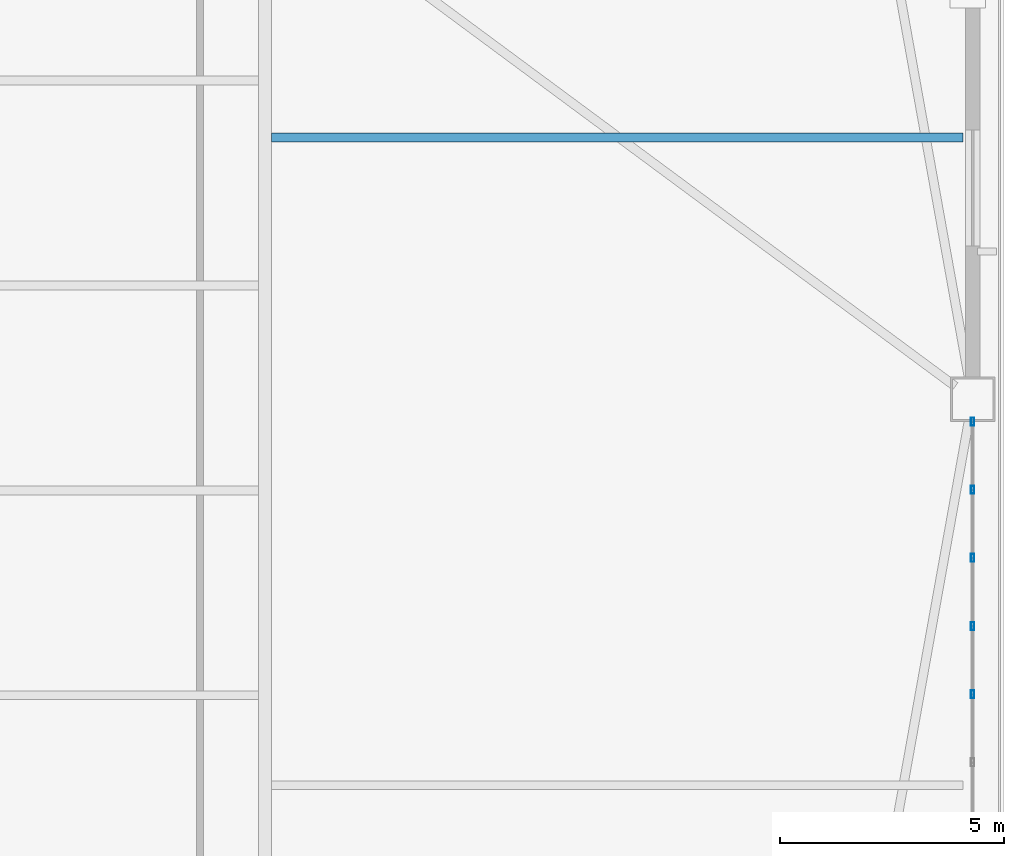
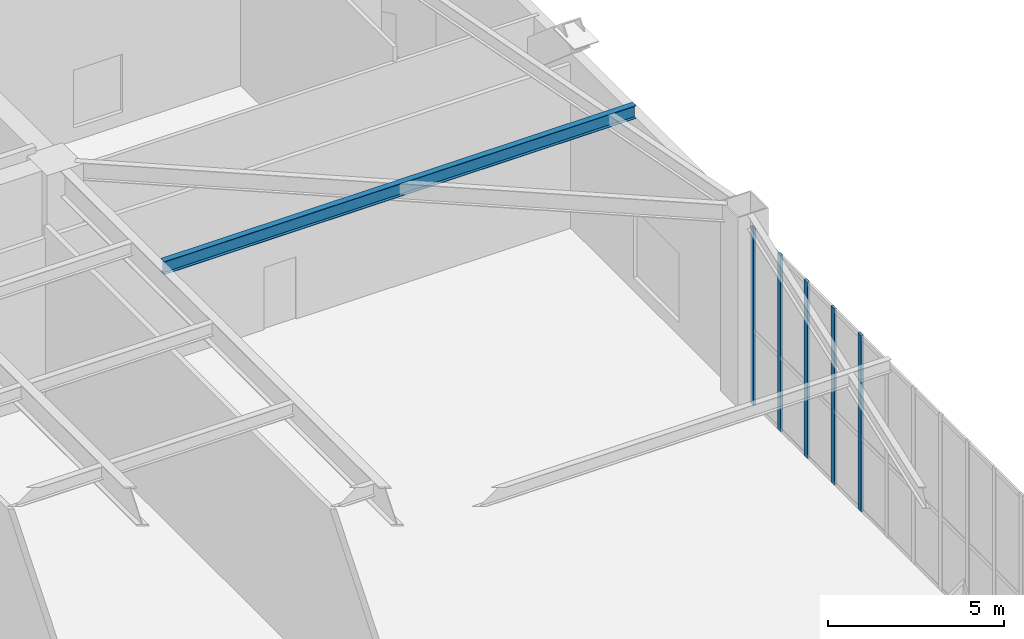
# One storey, part 11 of 22: 5 members, 1 beam, 1 element without a shape of its own.
"""IFC4 building model written with IfcOpenShell, lengths in metres."""

from ifc_helpers import new_model, si_unit, direction, frame, origin, origin_2d, place, context, subcontext, project, spatial, hollow_rectangle, i_section, extrude, source, transform, mapped, material, layer, layer_set, material_profile, profile_set, type_object, element, aggregate, save


model = new_model("IFC4")

# Units and contexts
model_context = context("Model", 3, precision=1e-05, world=origin(), true_north=direction((0.0, 1.0)))
body_context = subcontext(model_context, "Body", "Model", "MODEL_VIEW")
ifc_project = project(units=[si_unit("LENGTHUNIT", "METRE"), si_unit("AREAUNIT", "SQUARE_METRE"), si_unit("VOLUMEUNIT", "CUBIC_METRE"), si_unit("PLANEANGLEUNIT", "RADIAN"), si_unit("MASSUNIT", "GRAM", prefix="KILO")], contexts=[model_context])

# Site, building, storey
site_placement = place(None, origin())
site = spatial("IfcSite", under=ifc_project, at=site_placement, CompositionType="ELEMENT")
building_placement = place(site_placement, origin())
building = spatial("IfcBuilding", under=site, at=building_placement, Name="Giltprow Tower", CompositionType="ELEMENT")
storey_placement = place(building_placement, frame((0.0, 0.0, 72.800048828125)))
storey = spatial("IfcBuildingStorey", under=building, at=storey_placement, Name="L18", CompositionType="ELEMENT", Elevation=72.800048828125)

# Beam
ifc_material_1 = material(Name="Structural steel Q355B", Category="steel")
ifc_material_profile_1 = material_profile(ifc_material_1, i_section(OverallWidth=0.199951171875, OverallDepth=0.449951171875, WebThickness=0.009033203125, FlangeThickness=0.013916015625, at=origin_2d()), Name="HN 450x200x9x14")
ifc_profile_set_1 = profile_set([ifc_material_profile_1], Name="Structural steel Q355B")
beam_type = type_object("IfcBeamType", Name="BM-JOIST-HN450", PredefinedType="JOIST", material=ifc_profile_set_1)
shared_shape_1 = source(origin(), body_context, "Body", "SweptSolid", [
    extrude(i_section(OverallWidth=0.199951171875, OverallDepth=0.449951171875, WebThickness=0.009033203125, FlangeThickness=0.013916015625, at=origin_2d()), origin(), (0.0, 0.0, 1.0), 15.446044921875),
])
beam_placement = place(storey_placement, frame((50.695068359375, 31.60205078125, 6.35498046875), z_axis=(1.0, 0.0, 0.0), x_axis=(0.0, 1.0, 0.0)))
element("IfcBeam", 1, at=beam_placement, inside=storey, type_object=beam_type, Name="L18 East Wing Floor Joist 2", PredefinedType="JOIST", context=body_context, shape_type="MappedRepresentation", body=[
    mapped(shared_shape_1, transform((0.0, 0.0, 0.0), x_axis=(1.0, 0.0, 0.0), y_axis=(0.0, 1.0, 0.0), z_axis=(0.0, 0.0, 1.0), scale=1.0)),
])

# Curtain wall, members
ifc_material_2 = material(Name="Anodized bronze", Category="metal")
ifc_layer = layer(ifc_material_2, 0.179931640625, Name="Anodized bronze")
ifc_layer_set = layer_set([ifc_layer], Name="Anodized bronze")
curtain_wall_type = type_object("IfcCurtainWallType", Name="CW-SKYGARDEN", PredefinedType="NOTDEFINED", material=ifc_layer_set)
curtain_wall_placement = place(storey_placement, origin())
curtain_wall = element("IfcCurtainWall", 2, at=curtain_wall_placement, inside=storey, type_object=curtain_wall_type, Name="L18 E Sky Garden Glazing", PredefinedType="NOTDEFINED")
ifc_material_profile_2 = material_profile(ifc_material_2, hollow_rectangle(XDim=0.074951171875, YDim=0.179931640625, WallThickness=0.008056640625, at=origin_2d()), Name="RHS 180x75x8")
ifc_profile_set_2 = profile_set([ifc_material_profile_2], Name="Anodized bronze")
member_type = type_object("IfcMemberType", Name="CW-MULLION-180x75", PredefinedType="MULLION", material=ifc_profile_set_2)
shared_shape_2 = source(origin(), body_context, "Body", "SweptSolid", [
    extrude(hollow_rectangle(XDim=0.074951171875, YDim=0.179931640625, WallThickness=0.008056640625, at=origin_2d()), origin(), (0.0, 0.0, 1.0), 6.114990234375),
])
member_1_placement = place(storey_placement, frame((66.361083984375, 19.1640625, -0.02001953125), z_axis=(0.0, 0.0, 1.0), x_axis=(1.0, 0.0, 0.0)))
member_1 = element("IfcMember", 3, at=member_1_placement, type_object=member_type, Name="L18 E Sky Garden Glazing Mullion 8", PredefinedType="MULLION", context=body_context, shape_type="MappedRepresentation", body=[
    mapped(shared_shape_2, transform((0.0, 0.0, 0.0), x_axis=(1.0, 0.0, 0.0), y_axis=(0.0, 1.0, 0.0), z_axis=(0.0, 0.0, 1.0), scale=1.0)),
])
member_2_placement = place(storey_placement, frame((66.361083984375, 20.68701171875, -0.02001953125), z_axis=(0.0, 0.0, 1.0), x_axis=(1.0, 0.0, 0.0)))
member_2 = element("IfcMember", 4, at=member_2_placement, type_object=member_type, Name="L18 E Sky Garden Glazing Mullion 9", PredefinedType="MULLION", context=body_context, shape_type="MappedRepresentation", body=[
    mapped(shared_shape_2, transform((0.0, 0.0, 0.0), x_axis=(1.0, 0.0, 0.0), y_axis=(0.0, 1.0, 0.0), z_axis=(0.0, 0.0, 1.0), scale=1.0)),
])
member_3_placement = place(storey_placement, frame((66.361083984375, 22.2099609375, -0.02001953125), z_axis=(0.0, 0.0, 1.0), x_axis=(1.0, 0.0, 0.0)))
member_3 = element("IfcMember", 5, at=member_3_placement, type_object=member_type, Name="L18 E Sky Garden Glazing Mullion 10", PredefinedType="MULLION", context=body_context, shape_type="MappedRepresentation", body=[
    mapped(shared_shape_2, transform((0.0, 0.0, 0.0), x_axis=(1.0, 0.0, 0.0), y_axis=(0.0, 1.0, 0.0), z_axis=(0.0, 0.0, 1.0), scale=1.0)),
])
member_4_placement = place(storey_placement, frame((66.361083984375, 23.73193359375, -0.02001953125), z_axis=(0.0, 0.0, 1.0), x_axis=(1.0, 0.0, 0.0)))
member_4 = element("IfcMember", 6, at=member_4_placement, type_object=member_type, Name="L18 E Sky Garden Glazing Mullion 11", PredefinedType="MULLION", context=body_context, shape_type="MappedRepresentation", body=[
    mapped(shared_shape_2, transform((0.0, 0.0, 0.0), x_axis=(1.0, 0.0, 0.0), y_axis=(0.0, 1.0, 0.0), z_axis=(0.0, 0.0, 1.0), scale=1.0)),
])
member_5_placement = place(storey_placement, frame((66.361083984375, 25.2548828125, -0.02001953125), z_axis=(0.0, 0.0, 1.0), x_axis=(1.0, 0.0, 0.0)))
member_5 = element("IfcMember", 7, at=member_5_placement, type_object=member_type, Name="L18 E Sky Garden Glazing Mullion 12", PredefinedType="MULLION", context=body_context, shape_type="MappedRepresentation", body=[
    mapped(shared_shape_2, transform((0.0, 0.0, 0.0), x_axis=(1.0, 0.0, 0.0), y_axis=(0.0, 1.0, 0.0), z_axis=(0.0, 0.0, 1.0), scale=1.0)),
])
aggregate(curtain_wall, [member_1, member_2, member_3, member_4, member_5])

save(model, "model.ifc")
